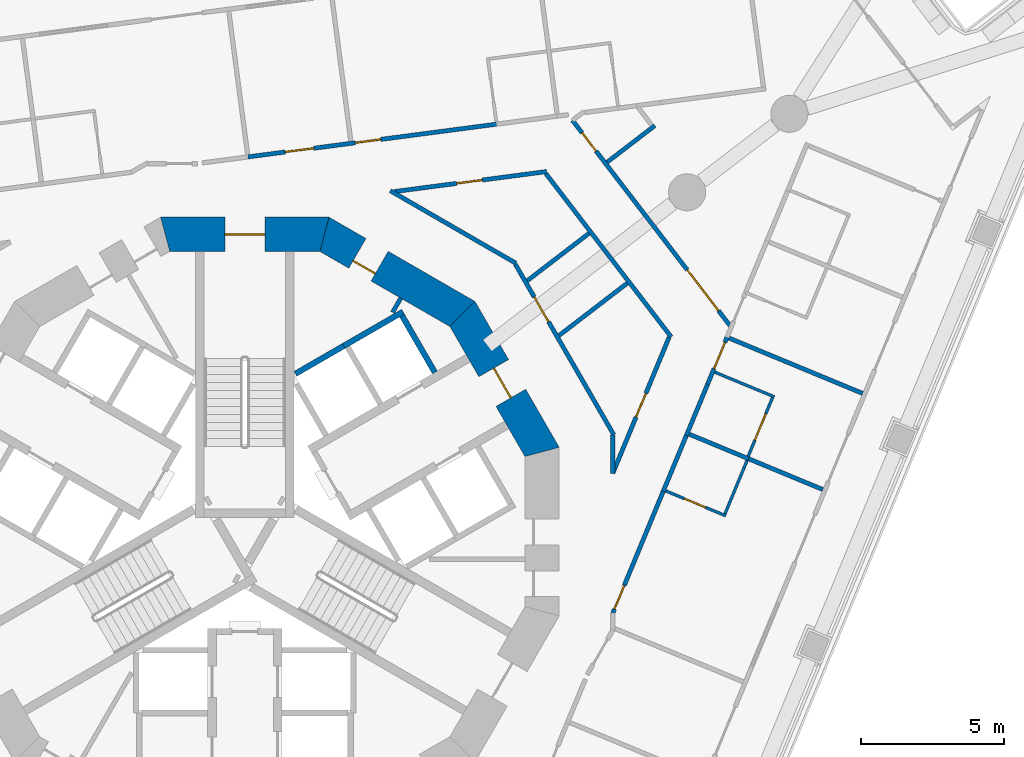
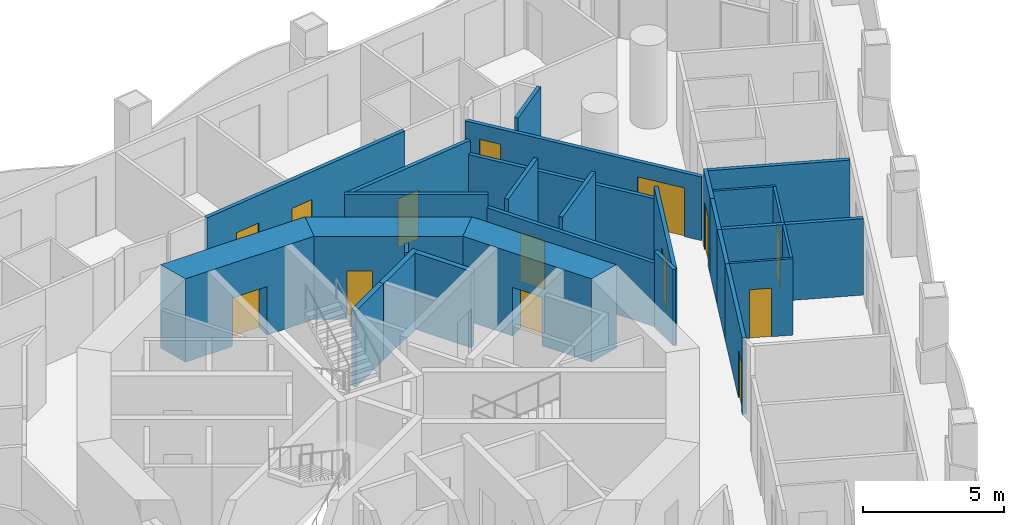
# One storey, part 9 of 19: 29 walls, 14 doors, 14 openings.
"""IFC4 building model written with IfcOpenShell, lengths in metres."""

from ifc_helpers import new_model, si_unit, direction, frame, frame_2d, origin, place, context, subcontext, project, spatial, polyline, rectangle, outline, extrude, material, layer, layer_set, type_object, element, fill, save


model = new_model("IFC4")

# Units and contexts
model_context = context("Model", 3, precision=1e-05, world=origin(), true_north=direction((0.0, 1.0)))
body_context = subcontext(model_context, "Body", "Model", "MODEL_VIEW")
ifc_project = project(units=[si_unit("LENGTHUNIT", "METRE"), si_unit("AREAUNIT", "SQUARE_METRE"), si_unit("VOLUMEUNIT", "CUBIC_METRE"), si_unit("PLANEANGLEUNIT", "RADIAN"), si_unit("MASSUNIT", "GRAM", prefix="KILO")], contexts=[model_context])

# Site, building, storey
site_placement = place(None, origin())
site = spatial("IfcSite", under=ifc_project, at=site_placement, CompositionType="ELEMENT")
building_placement = place(site_placement, origin())
building = spatial("IfcBuilding", under=site, at=building_placement, Name="Trine Commons Tower", CompositionType="ELEMENT")
storey_placement = place(building_placement, frame((0.0, 0.0, 68.39990234375)))
storey = spatial("IfcBuildingStorey", under=building, at=storey_placement, Name="L16", CompositionType="ELEMENT", Elevation=68.39990234375)

# Wall
ifc_material_1 = material(Name="Plasterboard partition on steel studs", Category="steel")
ifc_layer_1 = layer(ifc_material_1, 0.14990234375)
ifc_layer_set_1 = layer_set([ifc_layer_1], Name="Plasterboard partition on steel studs")
wall_type_1 = type_object("IfcWallType", Name="Core room partition 150 mm, EI 60", PredefinedType="PARTITIONING", material=ifc_layer_set_1)
wall_1_placement = place(storey_placement, frame((85.4609375, 70.676025390625, 0.0), z_axis=(0.0, 0.0, 1.0), x_axis=(-0.500042804318, -0.866000689289, 0.0)))
element("IfcWall", 1, at=wall_1_placement, inside=storey, type_object=wall_type_1, Name="Core room partition L16", PredefinedType="PARTITIONING", context=body_context, shape_type="SweptSolid", body=[
    extrude(rectangle(XDim=0.57177734375, YDim=0.14990234375, at=frame_2d((0.285888671875, 0.0))), origin(), (0.0, 0.0, 1.0), 3.300048828125),
])

# Wall, opening, door
ifc_material_2 = material(Name="Concrete C80/95", Category="concrete")
ifc_layer_2 = layer(ifc_material_2, 1.199951171875)
ifc_layer_set_2 = layer_set([ifc_layer_2], Name="Concrete C80/95")
wall_type_2 = type_object("IfcWallType", Name="RC shear wall 1200 mm, C80/95", PredefinedType="SHEAR", material=ifc_layer_set_2)
wall_2_placement = place(storey_placement, frame((90.491943359375, 65.150390625, 0.0), z_axis=(0.0, 0.0, 1.0), x_axis=(-0.499979111662, 0.866037463336, 0.0)))
wall_2 = element("IfcWall", 2, at=wall_2_placement, inside=storey, type_object=wall_type_2, Name="Core wall CWB-02 L16", PredefinedType="SHEAR", context=body_context, shape_type="SweptSolid", body=[
    extrude(outline(polyline([(0.0, -0.60009765625), (5.901123046875, -0.60009765625), (5.57958984375, 0.60009765625), (0.321533203125, 0.60009765625), (0.0, -0.60009765625)])), origin(), (0.0, 0.0, 1.0), 3.60009765625),
])
opening_1_placement = place(wall_2_placement, frame((2.3505859375, 0.0, 0.0)))
opening_1 = element("IfcOpeningElement", 3, at=opening_1_placement, cuts=wall_2, Name="Opening K07.04", PredefinedType="OPENING", context=body_context, shape_type="SweptSolid", body=[
    extrude(rectangle(XDim=1.199951171875, YDim=2.10009765625, at=frame_2d((0.60009765625, 1.050048828125))), frame((0.0, 0.60986328125, 0.0), z_axis=(0.0, -1.0, 0.0), x_axis=(1.0, 0.0, 0.0)), (0.0, 0.0, 1.0), 1.219970703125),
])
ifc_material_3 = material(Name="Steel door leaves, fire-rated", Category="steel")
door_type_1 = type_object("IfcDoorType", Name="Lobby door, double leaf 1200 x 2100, FD60", OperationType="DOUBLE_DOOR_SINGLE_SWING", PredefinedType="DOOR", material=ifc_material_3)
door_1_placement = place(opening_1_placement, origin())
door_1 = element("IfcDoor", 4, at=door_1_placement, inside=storey, type_object=door_type_1, Name="Lobby door, Passenger lift lobby A L16", OperationType="DOUBLE_DOOR_SINGLE_SWING", OverallHeight=2.10009765625, OverallWidth=1.199951171875, PredefinedType="DOOR", context=body_context, shape_type="SweptSolid", body=[
    extrude(rectangle(XDim=1.199951171875, YDim=2.10009765625, at=frame_2d((0.60009765625, 1.050048828125))), frame((0.0, 0.02490234375, 0.0), z_axis=(0.0, -1.0, 0.0), x_axis=(1.0, 0.0, 0.0)), (0.0, 0.0, 1.0), 0.050048828125),
])
fill(opening_1, door_1)

wall_3_placement = place(storey_placement, frame((87.760986328125, 70.04150390625, 0.0), z_axis=(0.0, 0.0, 1.0), x_axis=(-0.866037463336, 0.499979111662, 0.0)))
wall_3 = element("IfcWall", 5, at=wall_3_placement, inside=storey, type_object=wall_type_2, Name="Core wall CWB-03 L16", PredefinedType="SHEAR", context=body_context, shape_type="SweptSolid", body=[
    extrude(outline(polyline([(0.0, -0.60009765625), (5.901123046875, -0.60009765625), (5.57958984375, 0.60009765625), (0.321533203125, 0.60009765625), (0.0, -0.60009765625)])), origin(), (0.0, 0.0, 1.0), 3.60009765625),
])
opening_2_placement = place(wall_3_placement, frame((3.509521484375, 0.0, 0.0)))
opening_2 = element("IfcOpeningElement", 6, at=opening_2_placement, cuts=wall_3, Name="Opening K07.11", PredefinedType="OPENING", context=body_context, shape_type="SweptSolid", body=[
    extrude(rectangle(XDim=0.89990234375, YDim=2.10009765625, at=frame_2d((0.449951171875, 1.050048828125))), frame((0.0, 0.60986328125, 0.0), z_axis=(0.0, -1.0, 0.0), x_axis=(1.0, 0.0, 0.0)), (0.0, 0.0, 1.0), 1.219970703125),
])
ifc_material_4 = material(Name="Steel door leaf, fire-rated", Category="steel")
door_type_2 = type_object("IfcDoorType", Name="Core room door, single leaf 900 x 2100, FD30S", OperationType="SINGLE_SWING_LEFT", PredefinedType="DOOR", material=ifc_material_4)
door_2_placement = place(opening_2_placement, origin())
door_2 = element("IfcDoor", 7, at=door_2_placement, inside=storey, type_object=door_type_2, Name="Door to Accessible WC L16", OperationType="SINGLE_SWING_RIGHT", OverallHeight=2.10009765625, OverallWidth=0.89990234375, PredefinedType="DOOR", context=body_context, shape_type="SweptSolid", body=[
    extrude(rectangle(XDim=0.89990234375, YDim=2.10009765625, at=frame_2d((0.449951171875, 1.050048828125))), frame((0.0, 0.3251953125, 0.0), z_axis=(0.0, -1.0, 0.0), x_axis=(1.0, 0.0, 0.0)), (0.0, 0.0, 1.0), 0.050048828125),
])
fill(opening_2, door_2)

wall_4_placement = place(storey_placement, frame((82.950439453125, 72.91162109375, 0.0), z_axis=(0.0, 0.0, 1.0), x_axis=(-1.0, 0.0, 0.0)))
wall_4 = element("IfcWall", 8, at=wall_4_placement, inside=storey, type_object=wall_type_2, Name="Core wall CWB-04 L16", PredefinedType="SHEAR", context=body_context, shape_type="SweptSolid", body=[
    extrude(outline(polyline([(0.0, -0.60009765625), (5.90087890625, -0.60009765625), (5.57958984375, 0.60009765625), (0.321533203125, 0.60009765625), (0.0, -0.60009765625)])), origin(), (0.0, 0.0, 1.0), 3.60009765625),
])
opening_3_placement = place(wall_4_placement, frame((2.25048828125, 0.0, 0.0)))
opening_3 = element("IfcOpeningElement", 9, at=opening_3_placement, cuts=wall_4, Name="Opening K07.01", PredefinedType="OPENING", context=body_context, shape_type="SweptSolid", body=[
    extrude(rectangle(XDim=1.39990234375, YDim=2.10009765625, at=frame_2d((0.699951171875, 1.050048828125))), frame((0.0, 0.60986328125, 0.0), z_axis=(0.0, -1.0, 0.0), x_axis=(1.0, 0.0, 0.0)), (0.0, 0.0, 1.0), 1.219970703125),
])
door_type_3 = type_object("IfcDoorType", Name="Stair door, double leaf 1400 x 2100, FD90", OperationType="DOUBLE_DOOR_SINGLE_SWING", PredefinedType="DOOR", material=ifc_material_3)
door_3_placement = place(opening_3_placement, origin())
door_3 = element("IfcDoor", 10, at=door_3_placement, inside=storey, type_object=door_type_3, Name="Stair door to Exit stair ST1A L16", OperationType="DOUBLE_DOOR_SINGLE_SWING", OverallHeight=2.10009765625, OverallWidth=1.39990234375, PredefinedType="DOOR", context=body_context, shape_type="SweptSolid", body=[
    extrude(rectangle(XDim=1.39990234375, YDim=2.10009765625, at=frame_2d((0.699951171875, 1.050048828125))), frame((0.0, 0.02490234375, 0.0), z_axis=(0.0, -1.0, 0.0), x_axis=(1.0, 0.0, 0.0)), (0.0, 0.0, 1.0), 0.050048828125),
])
fill(opening_3, door_3)

# Walls
ifc_material_5 = material(Name="Fire-rated gypsum shaft wall system")
ifc_layer_3 = layer(ifc_material_5, 0.199951171875)
ifc_layer_set_3 = layer_set([ifc_layer_3], Name="Fire-rated gypsum shaft wall system")
wall_type_3 = type_object("IfcWallType", Name="Shaft wall 200 mm, EI 120", PredefinedType="PARTITIONING", material=ifc_layer_set_3)
wall_5_placement = place(storey_placement, frame((81.77490234375, 68.028076171875, 0.0), z_axis=(0.0, 0.0, 1.0), x_axis=(0.866052014814, 0.499953905513, 0.0)))
element("IfcWall", 11, at=wall_5_placement, inside=storey, type_object=wall_type_3, Name="Shaft wall L16", PredefinedType="PARTITIONING", context=body_context, shape_type="SweptSolid", body=[
    extrude(rectangle(XDim=1.947998046875, YDim=0.199951171875, at=frame_2d((0.97412109375, 0.0))), origin(), (0.0, 0.0, 1.0), 3.300048828125),
])
wall_6_placement = place(storey_placement, frame((83.4619140625, 69.001953125, 0.0), z_axis=(0.0, 0.0, 1.0), x_axis=(0.866202511239, 0.499693115345, 0.0)))
element("IfcWall", 12, at=wall_6_placement, inside=storey, type_object=wall_type_3, Name="Shaft wall L16", PredefinedType="PARTITIONING", context=body_context, shape_type="SweptSolid", body=[
    extrude(rectangle(XDim=2.4013671875, YDim=0.199951171875, at=frame_2d((1.20068359375, 0.0))), origin(), (0.0, 0.0, 1.0), 3.300048828125),
])
wall_7_placement = place(storey_placement, frame((86.655029296875, 68.073974609375, 0.0), z_axis=(0.0, 0.0, 1.0), x_axis=(-0.500215680983, 0.865900844496, 0.0)))
element("IfcWall", 13, at=wall_7_placement, inside=storey, type_object=wall_type_3, Name="Shaft wall L16", PredefinedType="PARTITIONING", context=body_context, shape_type="SweptSolid", body=[
    extrude(rectangle(XDim=2.29931640625, YDim=0.199951171875, at=frame_2d((1.149658203125, 0.0))), origin(), (0.0, 0.0, 1.0), 3.300048828125),
])

# Wall, openings, doors
ifc_material_6 = material(Name="Gypsum plasterboard on steel stud", Category="steel")
ifc_layer_4 = layer(ifc_material_6, 0.14990234375)
ifc_layer_set_4 = layer_set([ifc_layer_4], Name="Gypsum plasterboard on steel stud")
wall_type_4 = type_object("IfcWallType", Name="Unit and corridor wall 150 mm, EI 60", PredefinedType="PARTITIONING", material=ifc_layer_set_4)
wall_8_placement = place(storey_placement, frame((80.10595703125, 75.623046875, 0.0), z_axis=(0.0, 0.0, 1.0), x_axis=(0.991433413037, 0.130613121525, 0.0)))
wall_8 = element("IfcWall", 14, at=wall_8_placement, inside=storey, type_object=wall_type_4, Name="Partition 081", PredefinedType="PARTITIONING", context=body_context, shape_type="SweptSolid", body=[
    extrude(rectangle(XDim=8.83935546875, YDim=0.14990234375, at=frame_2d((4.419677734375, 0.0))), origin(), (0.0, 0.0, 1.0), 3.300048828125),
])
opening_4_placement = place(wall_8_placement, frame((1.32568359375, 0.0, 0.0)))
opening_4 = element("IfcOpeningElement", 15, at=opening_4_placement, cuts=wall_8, Name="Opening D-2B11", PredefinedType="OPENING", context=body_context, shape_type="SweptSolid", body=[
    extrude(rectangle(XDim=1.0, YDim=2.10009765625, at=frame_2d((0.5, 1.050048828125))), frame((0.0, 0.0849609375, 0.0), z_axis=(0.0, -1.0, 0.0), x_axis=(1.0, 0.0, 0.0)), (0.0, 0.0, 1.0), 0.169921875),
])
opening_5_placement = place(wall_8_placement, frame((3.79736328125, 0.0, 0.0)))
opening_5 = element("IfcOpeningElement", 16, at=opening_5_placement, cuts=wall_8, Name="Opening D-2B12", PredefinedType="OPENING", context=body_context, shape_type="SweptSolid", body=[
    extrude(rectangle(XDim=0.89990234375, YDim=2.10009765625, at=frame_2d((0.449951171875, 1.050048828125))), frame((0.0, 0.0849609375, 0.0), z_axis=(0.0, -1.0, 0.0), x_axis=(1.0, 0.0, 0.0)), (0.0, 0.0, 1.0), 0.169921875),
])
ifc_material_7 = material(Name="Painted timber", Category="wood")
door_type_4 = type_object("IfcDoorType", Name="Amenity room door 1000 x 2100, NOT RATED", OperationType="NOTDEFINED", PredefinedType="DOOR", material=ifc_material_7)
door_4_placement = place(opening_4_placement, origin())
door_4 = element("IfcDoor", 17, at=door_4_placement, inside=storey, type_object=door_type_4, Name="Door D-2B11", OperationType="SINGLE_SWING_LEFT", OverallHeight=2.10009765625, OverallWidth=1.0, PredefinedType="DOOR", context=body_context, shape_type="SweptSolid", body=[
    extrude(rectangle(XDim=1.0, YDim=2.10009765625, at=frame_2d((0.5, 1.050048828125))), frame((0.0, 0.02490234375, 0.0), z_axis=(0.0, -1.0, 0.0), x_axis=(1.0, 0.0, 0.0)), (0.0, 0.0, 1.0), 0.050048828125),
])
fill(opening_4, door_4)
ifc_material_8 = material(Name="Timber fire door set", Category="wood")
door_type_5 = type_object("IfcDoorType", Name="Bedroom door 900 x 2100, FD30S", OperationType="NOTDEFINED", PredefinedType="DOOR", material=ifc_material_8)
door_5_placement = place(opening_5_placement, origin())
door_5 = element("IfcDoor", 18, at=door_5_placement, inside=storey, type_object=door_type_5, Name="Door D-2B12", OperationType="SINGLE_SWING_LEFT", OverallHeight=2.10009765625, OverallWidth=0.89990234375, PredefinedType="DOOR", context=body_context, shape_type="SweptSolid", body=[
    extrude(rectangle(XDim=0.89990234375, YDim=2.10009765625, at=frame_2d((0.449951171875, 1.050048828125))), frame((0.0, 0.02490234375, 0.0), z_axis=(0.0, -1.0, 0.0), x_axis=(1.0, 0.0, 0.0)), (0.0, 0.0, 1.0), 0.050048828125),
])
fill(opening_5, door_5)

# Wall
wall_9_placement = place(storey_placement, frame((85.095947265625, 74.4384765625, 0.0), z_axis=(0.0, 0.0, 1.0), x_axis=(0.866036051865, -0.49998155653, 0.0)))
element("IfcWall", 19, at=wall_9_placement, inside=storey, type_object=wall_type_4, Name="Partition 091", PredefinedType="PARTITIONING", context=body_context, shape_type="SweptSolid", body=[
    extrude(rectangle(XDim=5.084228515625, YDim=0.14990234375, at=frame_2d((2.5419921875, 0.0))), origin(), (0.0, 0.0, 1.0), 3.300048828125),
])

# Wall, opening, door
wall_10_placement = place(storey_placement, frame((85.23828125, 74.40869140625, 0.0), z_axis=(0.0, 0.0, 1.0), x_axis=(0.991440693098, 0.130557849512, 0.0)))
wall_10 = element("IfcWall", 20, at=wall_10_placement, inside=storey, type_object=wall_type_4, Name="Partition 093", PredefinedType="PARTITIONING", context=body_context, shape_type="SweptSolid", body=[
    extrude(rectangle(XDim=5.378173828125, YDim=0.14990234375, at=frame_2d((2.68896484375, 0.0))), origin(), (0.0, 0.0, 1.0), 3.300048828125),
])
opening_6_placement = place(wall_10_placement, frame((2.201416015625, 0.0, 0.0)))
opening_6 = element("IfcOpeningElement", 21, at=opening_6_placement, cuts=wall_10, Name="Opening D-2B33", PredefinedType="OPENING", context=body_context, shape_type="SweptSolid", body=[
    extrude(rectangle(XDim=0.89990234375, YDim=2.10009765625, at=frame_2d((0.449951171875, 1.050048828125))), frame((0.0, 0.0849609375, 0.0), z_axis=(0.0, -1.0, 0.0), x_axis=(1.0, 0.0, 0.0)), (0.0, 0.0, 1.0), 0.169921875),
])
door_type_6 = type_object("IfcDoorType", Name="Service door 900 x 2100, FD30S", OperationType="NOTDEFINED", PredefinedType="DOOR", material=ifc_material_8)
door_6_placement = place(opening_6_placement, frame((0.89990234375, 0.0, 0.0), z_axis=(0.0, 0.0, 1.0), x_axis=(-1.0, 0.0, 0.0)))
door_6 = element("IfcDoor", 22, at=door_6_placement, inside=storey, type_object=door_type_6, Name="Door D-2B33", OperationType="SINGLE_SWING_RIGHT", OverallHeight=2.10009765625, OverallWidth=0.89990234375, PredefinedType="DOOR", context=body_context, shape_type="SweptSolid", body=[
    extrude(rectangle(XDim=0.89990234375, YDim=2.10009765625, at=frame_2d((0.449951171875, 1.050048828125))), frame((0.0, 0.02490234375, 0.0), z_axis=(0.0, -1.0, 0.0), x_axis=(1.0, 0.0, 0.0)), (0.0, 0.0, 1.0), 0.050048828125),
])
fill(opening_6, door_6)

wall_11_placement = place(storey_placement, frame((89.471435546875, 71.868896484375, 0.0), z_axis=(0.0, 0.0, 1.0), x_axis=(0.50000193825, -0.866024284732, 0.0)))
wall_11 = element("IfcWall", 23, at=wall_11_placement, inside=storey, type_object=wall_type_4, Name="Partition 110", PredefinedType="PARTITIONING", context=body_context, shape_type="SweptSolid", body=[
    extrude(rectangle(XDim=6.90625, YDim=0.14990234375, at=frame_2d((3.453125, 0.0))), origin(), (0.0, 0.0, 1.0), 2.75),
])
opening_7_placement = place(wall_11_placement, frame((1.3330078125, 0.0, 0.0)))
opening_7 = element("IfcOpeningElement", 24, at=opening_7_placement, cuts=wall_11, Name="Opening D-2B37", PredefinedType="OPENING", context=body_context, shape_type="SweptSolid", body=[
    extrude(rectangle(XDim=1.0, YDim=2.10009765625, at=frame_2d((0.5, 1.050048828125))), frame((0.0, 0.0849609375, 0.0), z_axis=(0.0, -1.0, 0.0), x_axis=(1.0, 0.0, 0.0)), (0.0, 0.0, 1.0), 0.169921875),
])
door_type_7 = type_object("IfcDoorType", Name="Toilet door 1000 x 2100, NOT RATED", OperationType="NOTDEFINED", PredefinedType="DOOR", material=ifc_material_7)
door_7_placement = place(opening_7_placement, origin())
door_7 = element("IfcDoor", 25, at=door_7_placement, inside=storey, type_object=door_type_7, Name="Door D-2B37", OperationType="SINGLE_SWING_LEFT", OverallHeight=2.10009765625, OverallWidth=1.0, PredefinedType="DOOR", context=body_context, shape_type="SweptSolid", body=[
    extrude(rectangle(XDim=1.0, YDim=2.10009765625, at=frame_2d((0.5, 1.050048828125))), frame((0.0, 0.02490234375, 0.0), z_axis=(0.0, -1.0, 0.0), x_axis=(1.0, 0.0, 0.0)), (0.0, 0.0, 1.0), 0.050048828125),
])
fill(opening_7, door_7)

# Walls
wall_12_placement = place(storey_placement, frame((89.892578125, 71.28759765625, 0.0), z_axis=(0.0, 0.0, 1.0), x_axis=(0.793249929781, 0.608896172515, 0.0)))
element("IfcWall", 26, at=wall_12_placement, inside=storey, type_object=wall_type_4, Name="Partition 111", PredefinedType="PARTITIONING", context=body_context, shape_type="SweptSolid", body=[
    extrude(rectangle(XDim=2.72412109375, YDim=0.14990234375, at=frame_2d((1.362060546875, 0.0))), origin(), (0.0, 0.0, 1.0), 3.300048828125),
])
wall_13_placement = place(storey_placement, frame((90.541748046875, 75.04150390625, 0.0), z_axis=(0.0, 0.0, 1.0), x_axis=(0.608724186816, -0.793381915842, 0.0)))
element("IfcWall", 27, at=wall_13_placement, inside=storey, type_object=wall_type_4, Name="Partition 115", PredefinedType="PARTITIONING", context=body_context, shape_type="SweptSolid", body=[
    extrude(rectangle(XDim=7.21484375, YDim=0.14990234375, at=frame_2d((3.607421875, 0.0))), origin(), (0.0, 0.0, 1.0), 2.75),
])
wall_14_placement = place(storey_placement, frame((91.00146484375, 69.36669921875, 0.0), z_axis=(0.0, 0.0, 1.0), x_axis=(0.79348121318, 0.608594745565, 0.0)))
element("IfcWall", 28, at=wall_14_placement, inside=storey, type_object=wall_type_4, Name="Partition 119", PredefinedType="PARTITIONING", context=body_context, shape_type="SweptSolid", body=[
    extrude(rectangle(XDim=3.0146484375, YDim=0.14990234375, at=frame_2d((1.50732421875, 0.0))), origin(), (0.0, 0.0, 1.0), 3.300048828125),
])

# Wall, openings, doors
wall_15_placement = place(storey_placement, frame((91.47412109375, 76.906005859375, 0.0), z_axis=(0.0, 0.0, 1.0), x_axis=(0.608691769464, -0.793406787081, 0.0)))
wall_15 = element("IfcWall", 29, at=wall_15_placement, inside=storey, type_object=wall_type_4, Name="Partition 123", PredefinedType="PARTITIONING", context=body_context, shape_type="SweptSolid", body=[
    extrude(rectangle(XDim=9.05908203125, YDim=0.14990234375, at=frame_2d((4.529541015625, 0.0))), origin(), (0.0, 0.0, 1.0), 2.75),
])
opening_8_placement = place(wall_15_placement, frame((6.606201171875, 0.0, 0.0)))
opening_8 = element("IfcOpeningElement", 30, at=opening_8_placement, cuts=wall_15, Name="Opening D-2B01", PredefinedType="OPENING", context=body_context, shape_type="SweptSolid", body=[
    extrude(rectangle(XDim=1.800048828125, YDim=2.10009765625, at=frame_2d((0.89990234375, 1.050048828125))), frame((0.0, 0.0849609375, 0.0), z_axis=(0.0, -1.0, 0.0), x_axis=(1.0, 0.0, 0.0)), (0.0, 0.0, 1.0), 0.169921875),
])
opening_9_placement = place(wall_15_placement, frame((0.553955078125, 0.0, 0.0)))
opening_9 = element("IfcOpeningElement", 31, at=opening_9_placement, cuts=wall_15, Name="Opening D-2B04", PredefinedType="OPENING", context=body_context, shape_type="SweptSolid", body=[
    extrude(rectangle(XDim=0.800048828125, YDim=2.10009765625, at=frame_2d((0.39990234375, 1.050048828125))), frame((0.0, 0.0849609375, 0.0), z_axis=(0.0, -1.0, 0.0), x_axis=(1.0, 0.0, 0.0)), (0.0, 0.0, 1.0), 0.169921875),
])
door_type_8 = type_object("IfcDoorType", Name="Cluster entrance door 1800 x 2100, double leaf, FD30S", OperationType="DOUBLE_DOOR_DOUBLE_SWING", PredefinedType="DOOR", material=ifc_material_8)
door_8_placement = place(opening_8_placement, origin())
door_8 = element("IfcDoor", 32, at=door_8_placement, inside=storey, type_object=door_type_8, Name="Door D-2B01", OperationType="DOUBLE_DOOR_DOUBLE_SWING", OverallHeight=2.10009765625, OverallWidth=1.800048828125, PredefinedType="DOOR", context=body_context, shape_type="SweptSolid", body=[
    extrude(rectangle(XDim=1.800048828125, YDim=2.10009765625, at=frame_2d((0.89990234375, 1.050048828125))), frame((0.0, 0.02490234375, 0.0), z_axis=(0.0, -1.0, 0.0), x_axis=(1.0, 0.0, 0.0)), (0.0, 0.0, 1.0), 0.050048828125),
])
fill(opening_8, door_8)
door_type_9 = type_object("IfcDoorType", Name="Toilet door 800 x 2100, NOT RATED", OperationType="NOTDEFINED", PredefinedType="DOOR", material=ifc_material_7)
door_9_placement = place(opening_9_placement, origin())
door_9 = element("IfcDoor", 33, at=door_9_placement, inside=storey, type_object=door_type_9, Name="Door D-2B04", OperationType="SINGLE_SWING_LEFT", OverallHeight=2.10009765625, OverallWidth=0.800048828125, PredefinedType="DOOR", context=body_context, shape_type="SweptSolid", body=[
    extrude(rectangle(XDim=0.800048828125, YDim=2.10009765625, at=frame_2d((0.39990234375, 1.050048828125))), frame((0.0, 0.02490234375, 0.0), z_axis=(0.0, -1.0, 0.0), x_axis=(1.0, 0.0, 0.0)), (0.0, 0.0, 1.0), 0.050048828125),
])
fill(opening_9, door_9)

# Wall
wall_16_placement = place(storey_placement, frame((92.6923828125, 75.440673828125, 0.0), z_axis=(0.0, 0.0, 1.0), x_axis=(0.793198338244, 0.608963378379, 0.0)))
element("IfcWall", 34, at=wall_16_placement, inside=storey, type_object=wall_type_4, Name="Partition 127", PredefinedType="PARTITIONING", context=body_context, shape_type="SweptSolid", body=[
    extrude(rectangle(XDim=2.100341796875, YDim=0.14990234375, at=frame_2d((1.05029296875, 0.0))), origin(), (0.0, 0.0, 1.0), 3.300048828125),
])

# Wall, opening, door
wall_17_placement = place(storey_placement, frame((92.886962890625, 59.64599609375, 0.0), z_axis=(0.0, 0.0, 1.0), x_axis=(0.382616615048, 0.92390720632, 0.0)))
wall_17 = element("IfcWall", 35, at=wall_17_placement, inside=storey, type_object=wall_type_4, Name="Partition 131", PredefinedType="PARTITIONING", context=body_context, shape_type="SweptSolid", body=[
    extrude(rectangle(XDim=4.668212890625, YDim=0.14990234375, at=frame_2d((2.333984375, 0.0))), origin(), (0.0, 0.0, 1.0), 3.300048828125),
])
opening_10_placement = place(wall_17_placement, frame((0.150146484375, 0.0, 0.0)))
opening_10 = element("IfcOpeningElement", 36, at=opening_10_placement, cuts=wall_17, Name="Opening D-2B17", PredefinedType="OPENING", context=body_context, shape_type="SweptSolid", body=[
    extrude(rectangle(XDim=0.89990234375, YDim=2.10009765625, at=frame_2d((0.449951171875, 1.050048828125))), frame((0.0, 0.0849609375, 0.0), z_axis=(0.0, -1.0, 0.0), x_axis=(1.0, 0.0, 0.0)), (0.0, 0.0, 1.0), 0.169921875),
])
door_10_placement = place(opening_10_placement, frame((0.89990234375, 0.0, 0.0), z_axis=(0.0, 0.0, 1.0), x_axis=(-1.0, 0.0, 0.0)))
door_10 = element("IfcDoor", 37, at=door_10_placement, inside=storey, type_object=door_type_5, Name="Door D-2B17", OperationType="SINGLE_SWING_RIGHT", OverallHeight=2.10009765625, OverallWidth=0.89990234375, PredefinedType="DOOR", context=body_context, shape_type="SweptSolid", body=[
    extrude(rectangle(XDim=0.89990234375, YDim=2.10009765625, at=frame_2d((0.449951171875, 1.050048828125))), frame((0.0, 0.02490234375, 0.0), z_axis=(0.0, -1.0, 0.0), x_axis=(1.0, 0.0, 0.0)), (0.0, 0.0, 1.0), 0.050048828125),
])
fill(opening_10, door_10)

# Wall
wall_18_placement = place(storey_placement, frame((92.886962890625, 64.5419921875, 0.0), z_axis=(0.0, 0.0, 1.0), x_axis=(0.0, 1.0, 0.0)))
element("IfcWall", 38, at=wall_18_placement, inside=storey, type_object=wall_type_4, Name="Partition 132", PredefinedType="PARTITIONING", context=body_context, shape_type="SweptSolid", body=[
    extrude(rectangle(XDim=1.3359375, YDim=0.14990234375, at=frame_2d((0.66796875, 0.0))), origin(), (0.0, 0.0, 1.0), 3.300048828125),
])

# Wall, opening, door
wall_19_placement = place(storey_placement, frame((92.886962890625, 64.5458984375, 0.0), z_axis=(0.0, 0.0, 1.0), x_axis=(0.382690656651, 0.923876540081, 0.0)))
wall_19 = element("IfcWall", 39, at=wall_19_placement, inside=storey, type_object=wall_type_4, Name="Partition 133", PredefinedType="PARTITIONING", context=body_context, shape_type="SweptSolid", body=[
    extrude(rectangle(XDim=5.154052734375, YDim=0.14990234375, at=frame_2d((2.5771484375, 0.0))), origin(), (0.0, 0.0, 1.0), 3.300048828125),
])
opening_11_placement = place(wall_19_placement, frame((2.126953125, 0.0, 0.0)))
opening_11 = element("IfcOpeningElement", 40, at=opening_11_placement, cuts=wall_19, Name="Opening D-2B34", PredefinedType="OPENING", context=body_context, shape_type="SweptSolid", body=[
    extrude(rectangle(XDim=0.89990234375, YDim=2.10009765625, at=frame_2d((0.449951171875, 1.050048828125))), frame((0.0, 0.0849609375, 0.0), z_axis=(0.0, -1.0, 0.0), x_axis=(1.0, 0.0, 0.0)), (0.0, 0.0, 1.0), 0.169921875),
])
door_11_placement = place(opening_11_placement, origin())
door_11 = element("IfcDoor", 41, at=door_11_placement, inside=storey, type_object=door_type_6, Name="Door D-2B34", OperationType="SINGLE_SWING_RIGHT", OverallHeight=2.10009765625, OverallWidth=0.89990234375, PredefinedType="DOOR", context=body_context, shape_type="SweptSolid", body=[
    extrude(rectangle(XDim=0.89990234375, YDim=2.10009765625, at=frame_2d((0.449951171875, 1.050048828125))), frame((0.0, 0.02490234375, 0.0), z_axis=(0.0, -1.0, 0.0), x_axis=(1.0, 0.0, 0.0)), (0.0, 0.0, 1.0), 0.050048828125),
])
fill(opening_11, door_11)

# Walls
wall_20_placement = place(storey_placement, frame((94.65087890625, 63.90478515625, 0.0), z_axis=(0.0, 0.0, 1.0), x_axis=(0.382722804604, 0.923863223013, 0.0)))
element("IfcWall", 42, at=wall_20_placement, inside=storey, type_object=wall_type_4, Name="Partition 138", PredefinedType="PARTITIONING", context=body_context, shape_type="SweptSolid", body=[
    extrude(rectangle(XDim=2.20849609375, YDim=0.14990234375, at=frame_2d((1.104248046875, 0.0))), origin(), (0.0, 0.0, 1.0), 3.300048828125),
])
wall_21_placement = place(storey_placement, frame((95.46435546875, 65.86767578125, 0.0), z_axis=(0.0, 0.0, 1.0), x_axis=(0.38256681744, 0.923927827373, 0.0)))
element("IfcWall", 43, at=wall_21_placement, inside=storey, type_object=wall_type_4, Name="Partition 140", PredefinedType="PARTITIONING", context=body_context, shape_type="SweptSolid", body=[
    extrude(rectangle(XDim=1.938720703125, YDim=0.14990234375, at=frame_2d((0.96923828125, 0.0))), origin(), (0.0, 0.0, 1.0), 3.300048828125),
])
wall_22_placement = place(storey_placement, frame((95.563232421875, 65.912353515625, 0.0), z_axis=(0.0, 0.0, 1.0), x_axis=(0.923983860805, -0.382431464412, 0.0)))
element("IfcWall", 44, at=wall_22_placement, inside=storey, type_object=wall_type_4, Name="Partition 141", PredefinedType="PARTITIONING", context=body_context, shape_type="SweptSolid", body=[
    extrude(rectangle(XDim=2.25537109375, YDim=0.14990234375, at=frame_2d((1.127685546875, 0.0))), origin(), (0.0, 0.0, 1.0), 3.300048828125),
])

# Wall, opening, door
wall_23_placement = place(storey_placement, frame((96.2060546875, 67.658935546875, 0.0), z_axis=(0.0, 0.0, 1.0), x_axis=(0.382317087309, 0.924031192521, 0.0)))
wall_23 = element("IfcWall", 45, at=wall_23_placement, inside=storey, type_object=wall_type_4, Name="Partition 142", PredefinedType="PARTITIONING", context=body_context, shape_type="SweptSolid", body=[
    extrude(rectangle(XDim=1.864013671875, YDim=0.14990234375, at=frame_2d((0.93212890625, 0.0))), origin(), (0.0, 0.0, 1.0), 3.300048828125),
])
opening_12_placement = place(wall_23_placement, frame((0.590087890625, 0.0, 0.0)))
opening_12 = element("IfcOpeningElement", 46, at=opening_12_placement, cuts=wall_23, Name="Opening D-2B16", PredefinedType="OPENING", context=body_context, shape_type="SweptSolid", body=[
    extrude(rectangle(XDim=1.0, YDim=2.10009765625, at=frame_2d((0.5, 1.050048828125))), frame((0.0, 0.0849609375, 0.0), z_axis=(0.0, -1.0, 0.0), x_axis=(1.0, 0.0, 0.0)), (0.0, 0.0, 1.0), 0.169921875),
])
door_type_10 = type_object("IfcDoorType", Name="Bedroom door 1000 x 2100, FD30S", OperationType="NOTDEFINED", PredefinedType="DOOR", material=ifc_material_8)
door_12_placement = place(opening_12_placement, frame((1.0, 0.0, 0.0), z_axis=(0.0, 0.0, 1.0), x_axis=(-1.0, 0.0, 0.0)))
door_12 = element("IfcDoor", 47, at=door_12_placement, inside=storey, type_object=door_type_10, Name="Door D-2B16", OperationType="SINGLE_SWING_LEFT", OverallHeight=2.10009765625, OverallWidth=1.0, PredefinedType="DOOR", context=body_context, shape_type="SweptSolid", body=[
    extrude(rectangle(XDim=1.0, YDim=2.10009765625, at=frame_2d((0.5, 1.050048828125))), frame((0.0, 0.02490234375, 0.0), z_axis=(0.0, -1.0, 0.0), x_axis=(1.0, 0.0, 0.0)), (0.0, 0.0, 1.0), 0.050048828125),
])
fill(opening_12, door_12)

# Walls
wall_24_placement = place(storey_placement, frame((96.957275390625, 69.279296875, 0.0), z_axis=(0.0, 0.0, 1.0), x_axis=(0.923879340067, -0.382683896966, 0.0)))
element("IfcWall", 48, at=wall_24_placement, inside=storey, type_object=wall_type_4, Name="Partition 146", PredefinedType="PARTITIONING", context=body_context, shape_type="SweptSolid", body=[
    extrude(rectangle(XDim=5.064208984375, YDim=0.14990234375, at=frame_2d((2.5322265625, 0.0))), origin(), (0.0, 0.0, 1.0), 3.300048828125),
])
wall_25_placement = place(storey_placement, frame((97.56982421875, 65.08203125, 0.0), z_axis=(0.0, 0.0, 1.0), x_axis=(0.923777070039, -0.38293070505, 0.0)))
element("IfcWall", 49, at=wall_25_placement, inside=storey, type_object=wall_type_4, Name="Partition 151", PredefinedType="PARTITIONING", context=body_context, shape_type="SweptSolid", body=[
    extrude(rectangle(XDim=2.892578125, YDim=0.14990234375, at=frame_2d((1.4462890625, 0.0))), origin(), (0.0, 0.0, 1.0), 3.300048828125),
])

# Wall, opening, door
ifc_layer_5 = layer(ifc_material_6, 0.10009765625)
ifc_layer_set_5 = layer_set([ifc_layer_5], Name="Gypsum plasterboard on steel stud")
wall_type_5 = type_object("IfcWallType", Name="Unit partition 100 mm, no rating", PredefinedType="PARTITIONING", material=ifc_layer_set_5)
wall_26_placement = place(storey_placement, frame((94.740234375, 63.92626953125, 0.0), z_axis=(0.0, 0.0, 1.0), x_axis=(0.923931833824, -0.382557141415, 0.0)))
wall_26 = element("IfcWall", 50, at=wall_26_placement, inside=storey, type_object=wall_type_5, Name="Partition 139", PredefinedType="PARTITIONING", context=body_context, shape_type="SweptSolid", body=[
    extrude(rectangle(XDim=2.275146484375, YDim=0.10009765625, at=frame_2d((1.1376953125, 0.0))), origin(), (0.0, 0.0, 1.0), 3.300048828125),
])
opening_13_placement = place(wall_26_placement, frame((0.71240234375, 0.0, 0.0)))
opening_13 = element("IfcOpeningElement", 51, at=opening_13_placement, cuts=wall_26, Name="Opening D-2B47", PredefinedType="OPENING", context=body_context, shape_type="SweptSolid", body=[
    extrude(rectangle(XDim=0.800048828125, YDim=2.10009765625, at=frame_2d((0.39990234375, 1.050048828125))), frame((0.0, 0.06005859375, 0.0), z_axis=(0.0, -1.0, 0.0), x_axis=(1.0, 0.0, 0.0)), (0.0, 0.0, 1.0), 0.1201171875),
])
door_type_11 = type_object("IfcDoorType", Name="Internal door 800 x 2100, NOT RATED", OperationType="NOTDEFINED", PredefinedType="DOOR", material=ifc_material_7)
door_13_placement = place(opening_13_placement, frame((0.800048828125, 0.0, 0.0), z_axis=(0.0, 0.0, 1.0), x_axis=(-1.0, 0.0, 0.0)))
door_13 = element("IfcDoor", 52, at=door_13_placement, inside=storey, type_object=door_type_11, Name="Door D-2B47", OperationType="SINGLE_SWING_RIGHT", OverallHeight=2.10009765625, OverallWidth=0.800048828125, PredefinedType="DOOR", context=body_context, shape_type="SweptSolid", body=[
    extrude(rectangle(XDim=0.800048828125, YDim=2.10009765625, at=frame_2d((0.39990234375, 1.050048828125))), frame((0.0, 0.02490234375, 0.0), z_axis=(0.0, -1.0, 0.0), x_axis=(1.0, 0.0, 0.0)), (0.0, 0.0, 1.0), 0.050048828125),
])
fill(opening_13, door_13)

# Walls
wall_27_placement = place(storey_placement, frame((96.46240234375, 68.083251953125, 0.0), z_axis=(0.0, 0.0, 1.0), x_axis=(0.92400628076, -0.382377291581, 0.0)))
element("IfcWall", 53, at=wall_27_placement, inside=storey, type_object=wall_type_5, Name="Partition 143", PredefinedType="PARTITIONING", context=body_context, shape_type="SweptSolid", body=[
    extrude(rectangle(XDim=2.255126953125, YDim=0.10009765625, at=frame_2d((1.12744140625, 0.0))), origin(), (0.0, 0.0, 1.0), 3.300048828125),
])
wall_28_placement = place(storey_placement, frame((96.815185546875, 63.12109375, 0.0), z_axis=(0.0, 0.0, 1.0), x_axis=(0.382816773578, 0.923824289498, 0.0)))
element("IfcWall", 54, at=wall_28_placement, inside=storey, type_object=wall_type_5, Name="Partition 144", PredefinedType="PARTITIONING", context=body_context, shape_type="SweptSolid", body=[
    extrude(rectangle(XDim=2.02490234375, YDim=0.10009765625, at=frame_2d((1.012451171875, 0.0))), origin(), (0.0, 0.0, 1.0), 3.300048828125),
])

# Wall, opening, door
wall_29_placement = place(storey_placement, frame((97.629638671875, 65.13818359375, 0.0), z_axis=(0.0, 0.0, 1.0), x_axis=(0.382619912847, 0.923905840599, 0.0)))
wall_29 = element("IfcWall", 55, at=wall_29_placement, inside=storey, type_object=wall_type_5, Name="Partition 150", PredefinedType="PARTITIONING", context=body_context, shape_type="SweptSolid", body=[
    extrude(rectangle(XDim=2.224853515625, YDim=0.10009765625, at=frame_2d((1.1123046875, 0.0))), origin(), (0.0, 0.0, 1.0), 3.300048828125),
])
opening_14_placement = place(wall_29_placement, frame((0.6123046875, 0.0, 0.0)))
opening_14 = element("IfcOpeningElement", 56, at=opening_14_placement, cuts=wall_29, Name="Opening D-2B46", PredefinedType="OPENING", context=body_context, shape_type="SweptSolid", body=[
    extrude(rectangle(XDim=1.0, YDim=2.10009765625, at=frame_2d((0.5, 1.050048828125))), frame((0.0, 0.06005859375, 0.0), z_axis=(0.0, -1.0, 0.0), x_axis=(1.0, 0.0, 0.0)), (0.0, 0.0, 1.0), 0.1201171875),
])
door_type_12 = type_object("IfcDoorType", Name="Internal door 1000 x 2100, NOT RATED", OperationType="NOTDEFINED", PredefinedType="DOOR", material=ifc_material_7)
door_14_placement = place(opening_14_placement, frame((1.0, 0.0, 0.0), z_axis=(0.0, 0.0, 1.0), x_axis=(-1.0, 0.0, 0.0)))
door_14 = element("IfcDoor", 57, at=door_14_placement, inside=storey, type_object=door_type_12, Name="Door D-2B46", OperationType="SINGLE_SWING_RIGHT", OverallHeight=2.10009765625, OverallWidth=1.0, PredefinedType="DOOR", context=body_context, shape_type="SweptSolid", body=[
    extrude(rectangle(XDim=1.0, YDim=2.10009765625, at=frame_2d((0.5, 1.050048828125))), frame((0.0, 0.02490234375, 0.0), z_axis=(0.0, -1.0, 0.0), x_axis=(1.0, 0.0, 0.0)), (0.0, 0.0, 1.0), 0.050048828125),
])
fill(opening_14, door_14)

save(model, "model.ifc")
